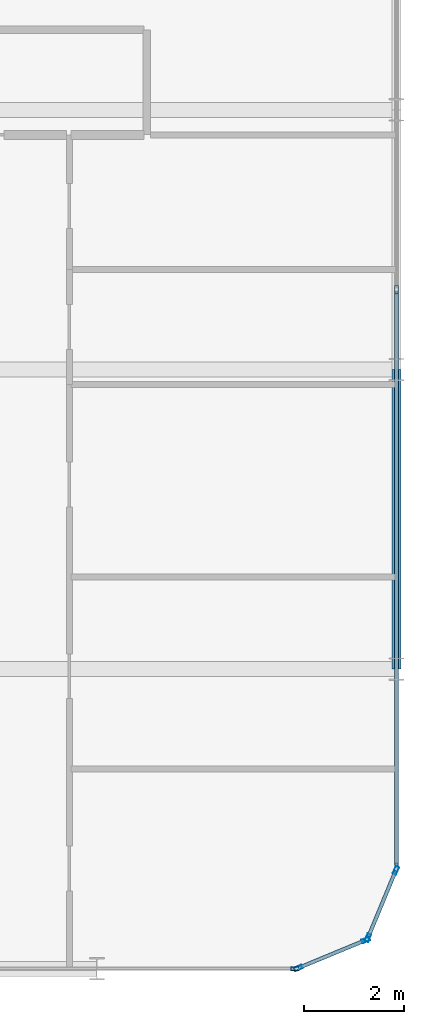
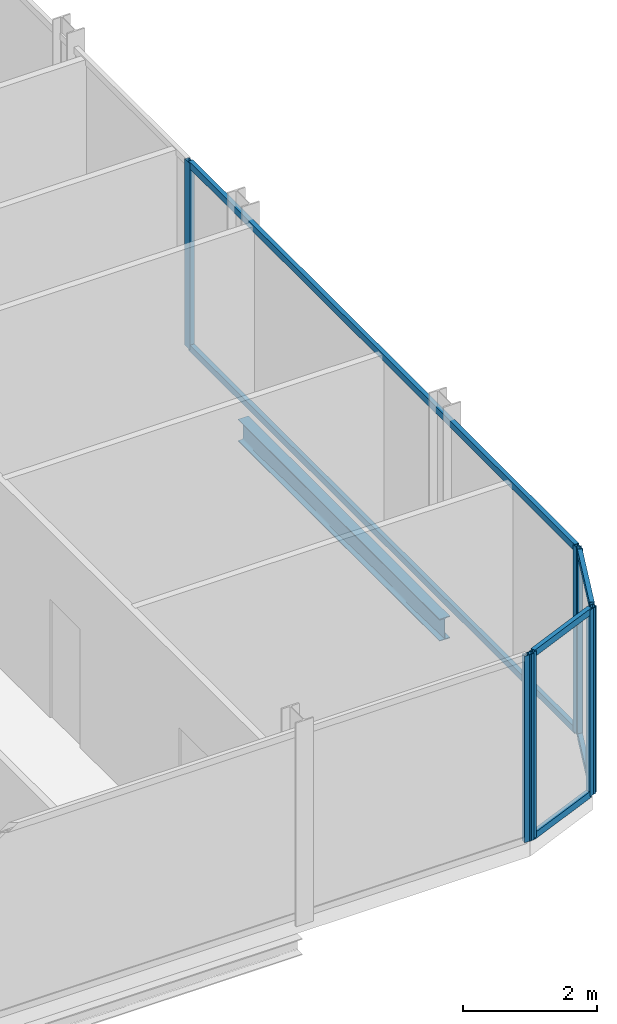
# One storey, part 12 of 29: 13 members, 1 beam, 4 elements without a shape of their own.
"""IFC4 building model written with IfcOpenShell, lengths in metres."""

from ifc_helpers import new_model, si_unit, direction, frame, origin, origin_2d, place, context, subcontext, project, spatial, hollow_rectangle, i_section, extrude, material, layer, layer_set, material_profile, profile_set, type_object, element, aggregate, save


model = new_model("IFC4")

# Units and contexts
model_context = context("Model", 3, precision=1e-05, world=origin(), true_north=direction((0.0, 1.0)))
body_context = subcontext(model_context, "Body", "Model", "MODEL_VIEW")
ifc_project = project(units=[si_unit("LENGTHUNIT", "METRE"), si_unit("AREAUNIT", "SQUARE_METRE"), si_unit("VOLUMEUNIT", "CUBIC_METRE"), si_unit("PLANEANGLEUNIT", "RADIAN"), si_unit("MASSUNIT", "GRAM", prefix="KILO")], contexts=[model_context])

# Site, building, storey
site_placement = place(None, origin())
site = spatial("IfcSite", under=ifc_project, at=site_placement, CompositionType="ELEMENT")
building_placement = place(site_placement, origin())
building = spatial("IfcBuilding", under=site, at=building_placement, Name="Keshet Zoharim Tower", CompositionType="ELEMENT")
storey_placement = place(building_placement, frame((0.0, 0.0, 230.199951171875)))
storey = spatial("IfcBuildingStorey", under=building, at=storey_placement, Name="L57", CompositionType="ELEMENT", Elevation=230.199951171875)

# Beam
ifc_material_1 = material(Name="Steel S355", Category="steel")
ifc_material_profile_1 = material_profile(ifc_material_1, i_section(OverallWidth=0.179931640625, OverallDepth=0.39990234375, WebThickness=0.008544921875, FlangeThickness=0.013427734375, FilletRadius=0.02099609375, at=origin_2d()), Name="IPE400")
ifc_profile_set_1 = profile_set([ifc_material_profile_1], Name="Steel S355")
beam_type = type_object("IfcBeamType", Name="BM-PRI-IP400", PredefinedType="BEAM", material=ifc_profile_set_1)
beam_placement = place(storey_placement, frame((57.0, 6.699951171875, -0.510009765625), z_axis=(0.0, 1.0, 0.0), x_axis=(-1.0, 0.0, 0.0)))
element("IfcBeam", 1, at=beam_placement, inside=storey, type_object=beam_type, Name="L57 Primary Girder Y-013", PredefinedType="BEAM", context=body_context, shape_type="SweptSolid", body=[
    extrude(i_section(OverallWidth=0.179931640625, OverallDepth=0.39990234375, WebThickness=0.008544921875, FlangeThickness=0.013427734375, FilletRadius=0.02099609375, at=origin_2d()), origin(), (0.0, 0.0, 1.0), 6.0),
])

# Curtain wall, members
ifc_material_2 = material(Name="Aluminium 6063-T6", Category="aluminium")
ifc_layer = layer(ifc_material_2, 0.139892578125)
ifc_layer_set = layer_set([ifc_layer], Name="Aluminium 6063-T6")
curtain_wall_type = type_object("IfcCurtainWallType", Name="CW-SYS-05", PredefinedType="NOTDEFINED", material=ifc_layer_set)
curtain_wall_1_placement = place(storey_placement, origin())
curtain_wall_1 = element("IfcCurtainWall", 2, at=curtain_wall_1_placement, inside=storey, type_object=curtain_wall_type, Name="L57 Unitised Curtain Wall 03", PredefinedType="NOTDEFINED")
ifc_material_profile_2 = material_profile(ifc_material_2, hollow_rectangle(XDim=0.074951171875, YDim=0.159912109375, WallThickness=0.00390625, at=origin_2d()), Name="MUL-75x160")
ifc_profile_set_2 = profile_set([ifc_material_profile_2], Name="Aluminium 6063-T6")
member_type_1 = type_object("IfcMemberType", Name="CWM-M15", PredefinedType="MULLION", material=ifc_profile_set_2)
member_1_placement = place(storey_placement, frame((57.0, 14.300048828125, 0.0), z_axis=(0.0, 0.0, 1.0), x_axis=(1.0, 0.0, 0.0)))
member_1 = element("IfcMember", 3, at=member_1_placement, type_object=member_type_1, Name="CW-05 mullion 2", PredefinedType="MULLION", context=body_context, shape_type="SweptSolid", body=[
    extrude(hollow_rectangle(XDim=0.074951171875, YDim=0.159912109375, WallThickness=0.00390625, at=origin_2d()), origin(), (0.0, 0.0, 1.0), 3.39013671875),
])
member_2_placement = place(storey_placement, frame((57.0, 2.735107421875, 0.0), z_axis=(0.0, 0.0, 1.0), x_axis=(1.0, 0.0, 0.0)))
member_2 = element("IfcMember", 4, at=member_2_placement, type_object=member_type_1, Name="CW-05 mullion 3", PredefinedType="MULLION", context=body_context, shape_type="SweptSolid", body=[
    extrude(hollow_rectangle(XDim=0.074951171875, YDim=0.159912109375, WallThickness=0.00390625, at=origin_2d()), origin(), (0.0, 0.0, 1.0), 3.39013671875),
])

curtain_wall_2_placement = place(storey_placement, origin())
curtain_wall_2 = element("IfcCurtainWall", 5, at=curtain_wall_2_placement, inside=storey, type_object=curtain_wall_type, Name="L57 Unitised Curtain Wall 04", PredefinedType="NOTDEFINED")
member_3_placement = place(storey_placement, frame((56.986572265625, 2.667724609375, 0.0), z_axis=(0.0, 0.0, 1.0), x_axis=(0.92380975372, -0.382851849847, 0.0)))
member_3 = element("IfcMember", 6, at=member_3_placement, type_object=member_type_1, Name="CW-05 mullion 1", PredefinedType="MULLION", context=body_context, shape_type="SweptSolid", body=[
    extrude(hollow_rectangle(XDim=0.074951171875, YDim=0.159912109375, WallThickness=0.00390625, at=origin_2d()), origin(), (0.0, 0.0, 1.0), 3.39013671875),
])
member_4_placement = place(storey_placement, frame((56.427490234375, 1.318359375, 0.0), z_axis=(0.0, 0.0, 1.0), x_axis=(0.92380975372, -0.382851849847, 0.0)))
member_4 = element("IfcMember", 7, at=member_4_placement, type_object=member_type_1, Name="CW-05 mullion 2", PredefinedType="MULLION", context=body_context, shape_type="SweptSolid", body=[
    extrude(hollow_rectangle(XDim=0.074951171875, YDim=0.159912109375, WallThickness=0.00390625, at=origin_2d()), origin(), (0.0, 0.0, 1.0), 3.39013671875),
])

curtain_wall_3_placement = place(storey_placement, origin())
curtain_wall_3 = element("IfcCurtainWall", 8, at=curtain_wall_3_placement, inside=storey, type_object=curtain_wall_type, Name="L57 Unitised Curtain Wall 05", PredefinedType="NOTDEFINED")
member_5_placement = place(storey_placement, frame((56.381591796875, 1.272705078125, 0.0), z_axis=(0.0, 0.0, 1.0), x_axis=(0.382851849847, -0.92380975372, 0.0)))
member_5 = element("IfcMember", 9, at=member_5_placement, type_object=member_type_1, Name="CW-05 mullion 1", PredefinedType="MULLION", context=body_context, shape_type="SweptSolid", body=[
    extrude(hollow_rectangle(XDim=0.074951171875, YDim=0.159912109375, WallThickness=0.00390625, at=origin_2d()), origin(), (0.0, 0.0, 1.0), 3.39013671875),
])
member_6_placement = place(storey_placement, frame((55.0322265625, 0.71337890625, 0.0), z_axis=(0.0, 0.0, 1.0), x_axis=(0.382851849847, -0.92380975372, 0.0)))
member_6 = element("IfcMember", 10, at=member_6_placement, type_object=member_type_1, Name="CW-05 mullion 2", PredefinedType="MULLION", context=body_context, shape_type="SweptSolid", body=[
    extrude(hollow_rectangle(XDim=0.074951171875, YDim=0.159912109375, WallThickness=0.00390625, at=origin_2d()), origin(), (0.0, 0.0, 1.0), 3.39013671875),
])

# Curtain wall, member
curtain_wall_4_placement = place(storey_placement, origin())
curtain_wall_4 = element("IfcCurtainWall", 11, at=curtain_wall_4_placement, inside=storey, type_object=curtain_wall_type, Name="L57 Unitised Curtain Wall 06", PredefinedType="NOTDEFINED")
member_7_placement = place(storey_placement, frame((54.965087890625, 0.699951171875, 0.0), z_axis=(0.0, 0.0, 1.0), x_axis=(0.0, -1.0, 0.0)))
member_7 = element("IfcMember", 12, at=member_7_placement, type_object=member_type_1, Name="CW-05 mullion 1", PredefinedType="MULLION", context=body_context, shape_type="SweptSolid", body=[
    extrude(hollow_rectangle(XDim=0.074951171875, YDim=0.159912109375, WallThickness=0.00390625, at=origin_2d()), origin(), (0.0, 0.0, 1.0), 3.39013671875),
])
aggregate(curtain_wall_4, [member_7])

# Member
ifc_material_profile_3 = material_profile(ifc_material_2, hollow_rectangle(XDim=0.074951171875, YDim=0.1201171875, WallThickness=0.00390625, at=origin_2d()), Name="TRN-75x120")
ifc_profile_set_3 = profile_set([ifc_material_profile_3], Name="Aluminium 6063-T6")
member_type_2 = type_object("IfcMemberType", Name="CWT-T12", PredefinedType="USERDEFINED", material=ifc_profile_set_3)
member_8_placement = place(storey_placement, frame((57.0, 14.264892578125, 0.03515625), z_axis=(0.0, -1.0, 0.0), x_axis=(1.0, 0.0, 0.0)))
member_8 = element("IfcMember", 13, at=member_8_placement, type_object=member_type_2, Name="CW-05 transom 2.1", ObjectType="TRANSOM", PredefinedType="USERDEFINED", context=body_context, shape_type="SweptSolid", body=[
    extrude(hollow_rectangle(XDim=0.074951171875, YDim=0.1201171875, WallThickness=0.00390625, at=origin_2d()), origin(), (0.0, 0.0, 1.0), 11.494873046875),
])

member_9_placement = place(storey_placement, frame((57.0, 14.264892578125, 3.35498046875), z_axis=(0.0, -1.0, 0.0), x_axis=(1.0, 0.0, 0.0)))
member_9 = element("IfcMember", 14, at=member_9_placement, type_object=member_type_2, Name="CW-05 transom 2.2", ObjectType="TRANSOM", PredefinedType="USERDEFINED", context=body_context, shape_type="SweptSolid", body=[
    extrude(hollow_rectangle(XDim=0.074951171875, YDim=0.1201171875, WallThickness=0.00390625, at=origin_2d()), origin(), (0.0, 0.0, 1.0), 11.494873046875),
])

aggregate(curtain_wall_1, [member_1, member_2, member_8, member_9])

member_10_placement = place(storey_placement, frame((56.97314453125, 2.63525390625, 0.03515625), z_axis=(-0.382744609247, -0.923854189844, 0.0), x_axis=(0.923854189844, -0.382744609247, 0.0)))
member_10 = element("IfcMember", 15, at=member_10_placement, type_object=member_type_2, Name="CW-05 transom 1.1", ObjectType="TRANSOM", PredefinedType="USERDEFINED", context=body_context, shape_type="SweptSolid", body=[
    extrude(hollow_rectangle(XDim=0.074951171875, YDim=0.1201171875, WallThickness=0.00390625, at=origin_2d()), origin(), (0.0, 0.0, 1.0), 1.390625),
])

member_11_placement = place(storey_placement, frame((56.97314453125, 2.63525390625, 3.35498046875), z_axis=(-0.382744609247, -0.923854189844, 0.0), x_axis=(0.923854189844, -0.382744609247, 0.0)))
member_11 = element("IfcMember", 16, at=member_11_placement, type_object=member_type_2, Name="CW-05 transom 1.2", ObjectType="TRANSOM", PredefinedType="USERDEFINED", context=body_context, shape_type="SweptSolid", body=[
    extrude(hollow_rectangle(XDim=0.074951171875, YDim=0.1201171875, WallThickness=0.00390625, at=origin_2d()), origin(), (0.0, 0.0, 1.0), 1.390625),
])

aggregate(curtain_wall_2, [member_3, member_4, member_10, member_11])

member_12_placement = place(storey_placement, frame((56.349365234375, 1.25927734375, 0.03515625), z_axis=(-0.92379209995, -0.382894445076, 0.0), x_axis=(0.382894445076, -0.92379209995, 0.0)))
member_12 = element("IfcMember", 17, at=member_12_placement, type_object=member_type_2, Name="CW-05 transom 1.1", ObjectType="TRANSOM", PredefinedType="USERDEFINED", context=body_context, shape_type="SweptSolid", body=[
    extrude(hollow_rectangle(XDim=0.074951171875, YDim=0.1201171875, WallThickness=0.00390625, at=origin_2d()), origin(), (0.0, 0.0, 1.0), 1.390625),
])

member_13_placement = place(storey_placement, frame((56.349365234375, 1.25927734375, 3.35498046875), z_axis=(-0.92379209995, -0.382894445076, 0.0), x_axis=(0.382894445076, -0.92379209995, 0.0)))
member_13 = element("IfcMember", 18, at=member_13_placement, type_object=member_type_2, Name="CW-05 transom 1.2", ObjectType="TRANSOM", PredefinedType="USERDEFINED", context=body_context, shape_type="SweptSolid", body=[
    extrude(hollow_rectangle(XDim=0.074951171875, YDim=0.1201171875, WallThickness=0.00390625, at=origin_2d()), origin(), (0.0, 0.0, 1.0), 1.390625),
])

aggregate(curtain_wall_3, [member_5, member_6, member_12, member_13])

save(model, "model.ifc")
